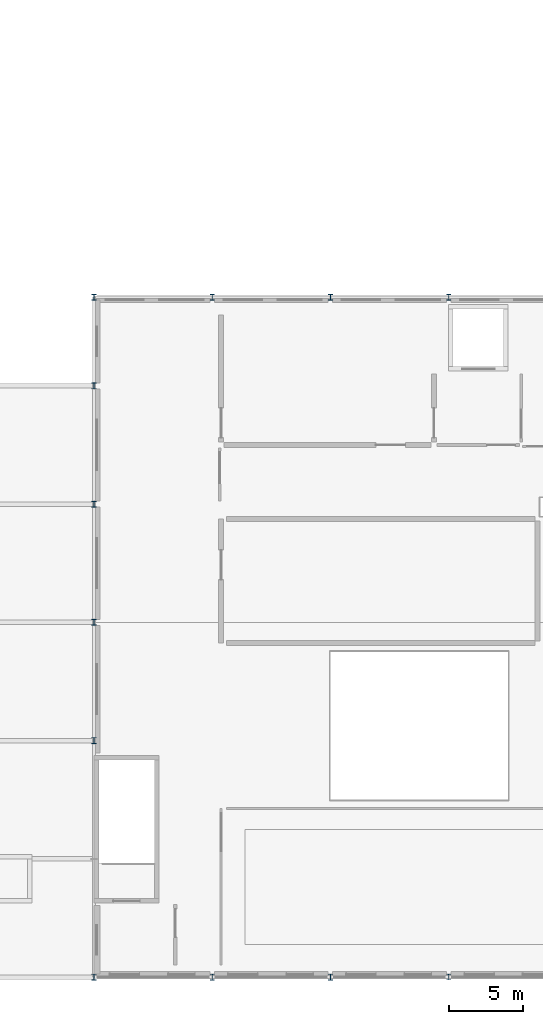
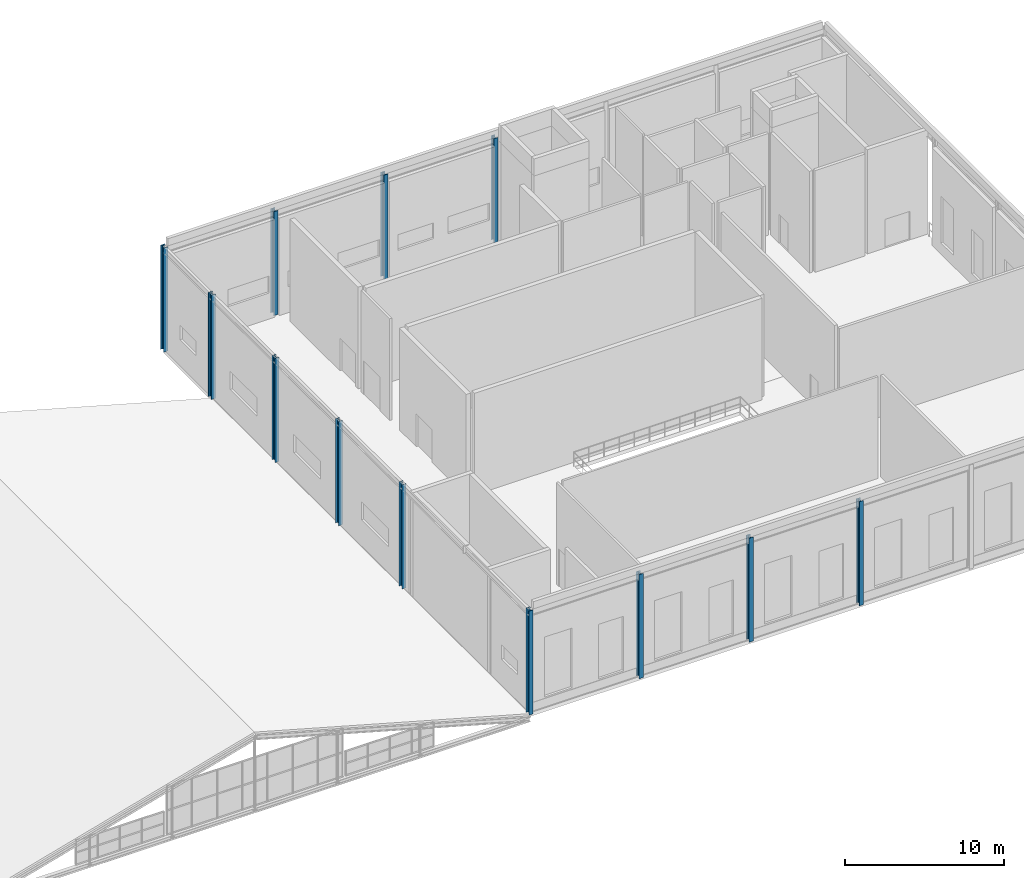
# One storey, part 1 of 49: 12 columns.
"""IFC4 building model written with IfcOpenShell, lengths in metres."""

from ifc_helpers import new_model, si_unit, direction, frame, origin, origin_2d, place, context, subcontext, project, spatial, i_section, extrude, material, material_profile, profile_set, type_object, element, save


model = new_model("IFC4")

# Units and contexts
model_context = context("Model", 3, precision=1e-05, world=origin(), true_north=direction((0.0, 1.0)))
body_context = subcontext(model_context, "Body", "Model", "MODEL_VIEW")
ifc_project = project(units=[si_unit("LENGTHUNIT", "METRE"), si_unit("AREAUNIT", "SQUARE_METRE"), si_unit("VOLUMEUNIT", "CUBIC_METRE"), si_unit("PLANEANGLEUNIT", "RADIAN"), si_unit("MASSUNIT", "GRAM", prefix="KILO")], contexts=[model_context])

# Site, building, storey
site_placement = place(None, origin())
site = spatial("IfcSite", under=ifc_project, at=site_placement, CompositionType="ELEMENT")
building_placement = place(site_placement, origin())
building = spatial("IfcBuilding", under=site, at=building_placement, Name="Sundkrona Museum", CompositionType="ELEMENT")
storey_placement = place(building_placement, frame((0.0, 0.0, 26.0)))
storey = spatial("IfcBuildingStorey", under=building, at=storey_placement, Name="L05", CompositionType="ELEMENT", Elevation=26.0)

# Columns
ifc_material = material(Name="Steel S355J2", Category="steel")
ifc_material_profile = material_profile(ifc_material, i_section(OverallWidth=0.300048828125, OverallDepth=0.39990234375, WebThickness=0.013427734375, FlangeThickness=0.02392578125, FilletRadius=0.027099609375, at=origin_2d()), Name="HEB 400")
ifc_profile_set = profile_set([ifc_material_profile], Name="Steel S355J2")
column_type = type_object("IfcColumnType", Name="C-HEB400", PredefinedType="COLUMN", material=ifc_profile_set)
for number, where, z_axis, x_axis, name in (
    (1, (120.0, 0.0, 0.0), (0.0, 0.0, 1.0), (1.0, 0.0, 0.0), "L05 Column A/16"),
    (2, (120.0, 16.0, 0.0), (0.0, 0.0, 1.0), (1.0, 0.0, 0.0), "L05 Column C/16"),
    (3, (120.0, 24.0, 0.0), (0.0, 0.0, 1.0), (1.0, 0.0, 0.0), "L05 Column D/16"),
    (4, (120.0, 32.0, 0.0), (0.0, 0.0, 1.0), (1.0, 0.0, 0.0), "L05 Column E/16"),
    (5, (120.0, 40.0, 0.0), (0.0, 0.0, 1.0), (1.0, 0.0, 0.0), "L05 Column F/16"),
    (6, (120.0, 46.0, 0.0), (0.0, 0.0, 1.0), (1.0, 0.0, 0.0), "L05 Column G/16"),
    (7, (128.0, 0.0, 0.0), (0.0, 0.0, 1.0), (1.0, 0.0, 0.0), "L05 Column A/17"),
    (8, (128.0, 46.0, 0.0), (0.0, 0.0, 1.0), (1.0, 0.0, 0.0), "L05 Column G/17"),
    (9, (136.0, 0.0, 0.0), (0.0, 0.0, 1.0), (1.0, 0.0, 0.0), "L05 Column A/18"),
    (10, (136.0, 46.0, 0.0), (0.0, 0.0, 1.0), (1.0, 0.0, 0.0), "L05 Column G/18"),
    (11, (144.0, 0.0, 0.0), (0.0, 0.0, 1.0), (1.0, 0.0, 0.0), "L05 Column A/19"),
    (12, (144.0, 46.0, 0.0), (0.0, 0.0, 1.0), (1.0, 0.0, 0.0), "L05 Column G/19"),
):
    element("IfcColumn", number, at=place(storey_placement, frame(where, z_axis=z_axis, x_axis=x_axis)), inside=storey, type_object=column_type, Name=name, PredefinedType="COLUMN", context=body_context, shape_type="SweptSolid", body=[
        extrude(i_section(OverallWidth=0.300048828125, OverallDepth=0.39990234375, WebThickness=0.013427734375, FlangeThickness=0.02392578125, FilletRadius=0.027099609375, at=origin_2d()), origin(), (0.0, 0.0, 1.0), 8.0),
    ])

save(model, "model.ifc")
